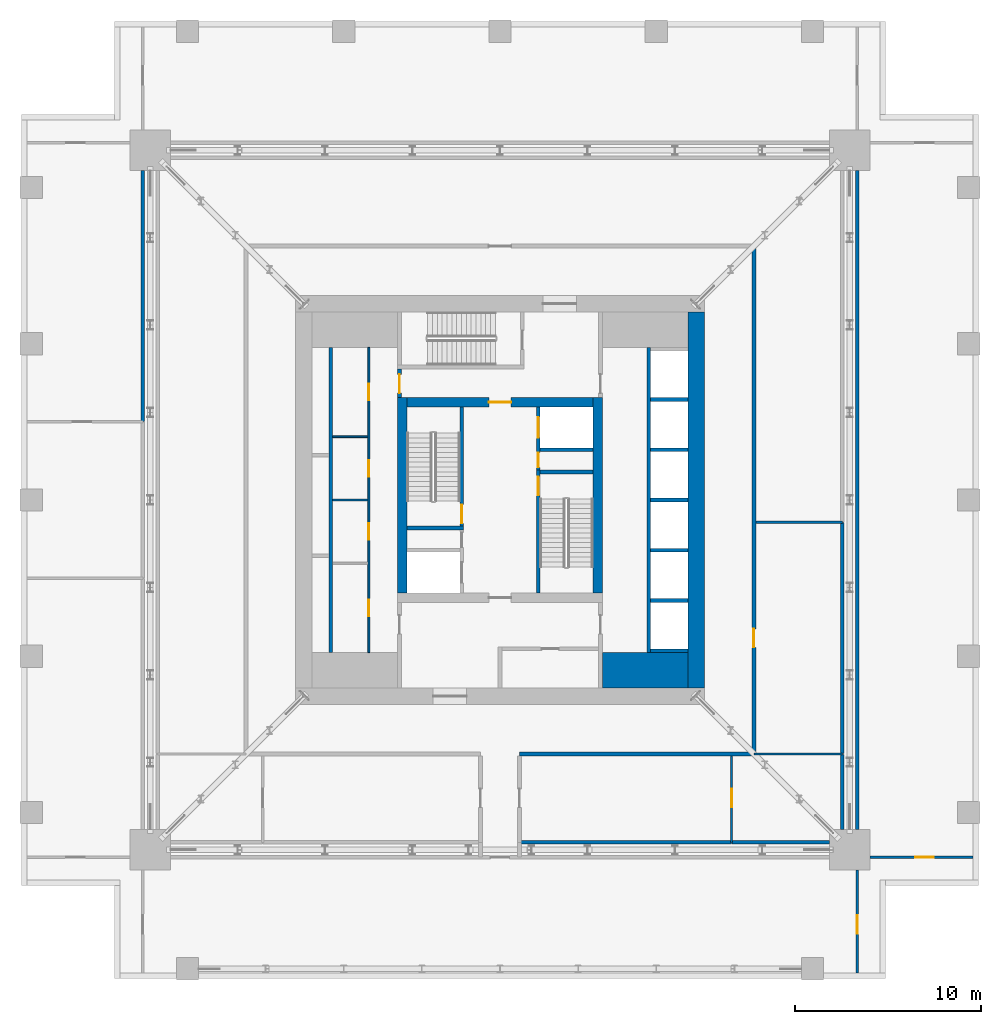
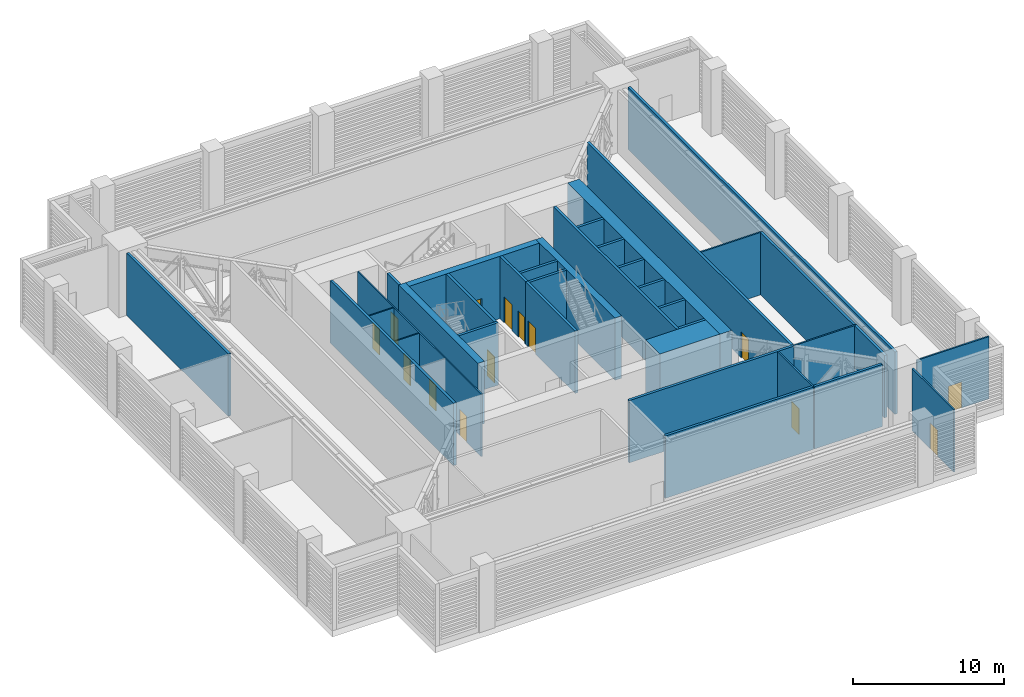
# One storey, part 10 of 16: 36 walls, 14 doors, 14 openings.
"""IFC4 building model written with IfcOpenShell, lengths in metres."""

from ifc_helpers import new_model, si_unit, direction, frame, frame_2d, origin, place, context, subcontext, project, spatial, rectangle, extrude, material, layer, layer_set, type_object, element, fill, save


model = new_model("IFC4")

# Units and contexts
model_context = context("Model", 3, precision=1e-05, world=origin(), true_north=direction((0.0, 1.0)))
body_context = subcontext(model_context, "Body", "Model", "MODEL_VIEW")
ifc_project = project(units=[si_unit("LENGTHUNIT", "METRE"), si_unit("AREAUNIT", "SQUARE_METRE"), si_unit("VOLUMEUNIT", "CUBIC_METRE"), si_unit("PLANEANGLEUNIT", "RADIAN"), si_unit("MASSUNIT", "GRAM", prefix="KILO")], contexts=[model_context])

# Site, building, storey
site_placement = place(None, origin())
site = spatial("IfcSite", under=ifc_project, at=site_placement, CompositionType="ELEMENT")
building_placement = place(site_placement, origin())
building = spatial("IfcBuilding", under=site, at=building_placement, Name="Khepri Terraces", CompositionType="ELEMENT")
storey_placement = place(building_placement, frame((0.0, 0.0, 287.39990234375)))
storey = spatial("IfcBuildingStorey", under=building, at=storey_placement, Name="L69", CompositionType="ELEMENT", Elevation=287.39990234375)

# Wall
ifc_material_1 = material(Name="Concrete C40/50", Category="concrete")
ifc_layer_1 = layer(ifc_material_1, 1.89990234375, Name="Concrete C40/50", Category="concrete")
ifc_layer_set_1 = layer_set([ifc_layer_1], Name="Concrete C40/50")
wall_type_1 = type_object("IfcWallType", Name="Core wall 1900 C40/50", PredefinedType="SHEAR", material=ifc_layer_set_1)
wall_1_placement = place(storey_placement, frame((5.5, -9.14990234375, 0.0), z_axis=(0.0, 0.0, 1.0), x_axis=(1.0, 0.0, 0.0)))
element("IfcWall", 1, at=wall_1_placement, inside=storey, type_object=wall_type_1, Name="Core wall PR02 L69", PredefinedType="SHEAR", context=body_context, shape_type="SweptSolid", body=[
    extrude(rectangle(XDim=4.60009765625, YDim=1.89990234375, at=frame_2d((2.300048828125, 0.0))), origin(), (0.0, 0.0, 1.0), 5.050048828125),
])

# Wall, opening, door
ifc_layer_2 = layer(ifc_material_1, 0.199951171875, Name="Concrete C40/50", Category="concrete")
ifc_layer_set_2 = layer_set([ifc_layer_2], Name="Concrete C40/50")
wall_type_2 = type_object("IfcWallType", Name="Core wall 200 C40/50", PredefinedType="SHEAR", material=ifc_layer_set_2)
wall_2_placement = place(storey_placement, frame((2.050048828125, -5.0, 0.0), z_axis=(0.0, 0.0, 1.0), x_axis=(0.0, 1.0, 0.0)))
wall_2 = element("IfcWall", 2, at=wall_2_placement, inside=storey, type_object=wall_type_2, Name="Core wall ST01 L69", PredefinedType="SHEAR", context=body_context, shape_type="SweptSolid", body=[
    extrude(rectangle(XDim=6.60009765625, YDim=0.199951171875, at=frame_2d((3.300048828125, 0.0))), origin(), (0.0, 0.0, 1.0), 5.050048828125),
])
opening_1_placement = place(wall_2_placement, frame((5.25, 0.0, 0.0)))
opening_1 = element("IfcOpeningElement", 3, at=opening_1_placement, cuts=wall_2, Name="Opening L69-C04", PredefinedType="OPENING", context=body_context, shape_type="SweptSolid", body=[
    extrude(rectangle(XDim=1.0, YDim=2.10009765625, at=frame_2d((0.5, 1.050048828125))), frame((0.0, 0.10986328125, 0.0), z_axis=(0.0, -1.0, 0.0), x_axis=(1.0, 0.0, 0.0)), (0.0, 0.0, 1.0), 0.219970703125),
])
ifc_material_2 = material(Name="Painted steel", Category="steel")
door_type_1 = type_object("IfcDoorType", Name="DR-CORE-STAIR-1000", OperationType="NOTDEFINED", PredefinedType="DOOR", material=ifc_material_2)
door_1_placement = place(opening_1_placement, frame((1.0, 0.0, 0.0), z_axis=(0.0, 0.0, 1.0), x_axis=(-1.0, 0.0, 0.0)))
door_1 = element("IfcDoor", 4, at=door_1_placement, inside=storey, type_object=door_type_1, Name="Stair door L69-C04", OperationType="SINGLE_SWING_LEFT", OverallHeight=2.10009765625, OverallWidth=1.0, PredefinedType="DOOR", context=body_context, shape_type="SweptSolid", body=[
    extrude(rectangle(XDim=1.0, YDim=2.10009765625, at=frame_2d((0.5, 1.050048828125))), frame((0.0, 0.02490234375, 0.0), z_axis=(0.0, -1.0, 0.0), x_axis=(1.0, 0.0, 0.0)), (0.0, 0.0, 1.0), 0.050048828125),
])
fill(opening_1, door_1)

# Wall
wall_3_placement = place(storey_placement, frame((-5.0, -1.5, 0.0), z_axis=(0.0, 0.0, 1.0), x_axis=(1.0, 0.0, 0.0)))
element("IfcWall", 5, at=wall_3_placement, inside=storey, type_object=wall_type_2, Name="Core wall ST02 L69", PredefinedType="SHEAR", context=body_context, shape_type="SweptSolid", body=[
    extrude(rectangle(XDim=3.050048828125, YDim=0.199951171875, at=frame_2d((1.52490234375, 0.0))), origin(), (0.0, 0.0, 1.0), 5.050048828125),
])

# Wall, opening, door
wall_4_placement = place(storey_placement, frame((-2.050048828125, -1.39990234375, 0.0), z_axis=(0.0, 0.0, 1.0), x_axis=(0.0, 1.0, 0.0)))
wall_4 = element("IfcWall", 6, at=wall_4_placement, inside=storey, type_object=wall_type_2, Name="Core wall ST03 L69", PredefinedType="SHEAR", context=body_context, shape_type="SweptSolid", body=[
    extrude(rectangle(XDim=6.39990234375, YDim=0.199951171875, at=frame_2d((3.199951171875, 0.0))), origin(), (0.0, 0.0, 1.0), 5.050048828125),
])
opening_2_placement = place(wall_4_placement, frame((0.14990234375, 0.0, 0.0)))
opening_2 = element("IfcOpeningElement", 7, at=opening_2_placement, cuts=wall_4, Name="Opening L69-C03", PredefinedType="OPENING", context=body_context, shape_type="SweptSolid", body=[
    extrude(rectangle(XDim=1.0, YDim=2.10009765625, at=frame_2d((0.5, 1.050048828125))), frame((0.0, 0.10986328125, 0.0), z_axis=(0.0, -1.0, 0.0), x_axis=(1.0, 0.0, 0.0)), (0.0, 0.0, 1.0), 0.219970703125),
])
door_2_placement = place(opening_2_placement, origin())
door_2 = element("IfcDoor", 8, at=door_2_placement, inside=storey, type_object=door_type_1, Name="Stair door L69-C03", OperationType="SINGLE_SWING_LEFT", OverallHeight=2.10009765625, OverallWidth=1.0, PredefinedType="DOOR", context=body_context, shape_type="SweptSolid", body=[
    extrude(rectangle(XDim=1.0, YDim=2.10009765625, at=frame_2d((0.5, 1.050048828125))), frame((0.0, 0.02490234375, 0.0), z_axis=(0.0, -1.0, 0.0), x_axis=(1.0, 0.0, 0.0)), (0.0, 0.0, 1.0), 0.050048828125),
])
fill(opening_2, door_2)

# Walls
wall_5_placement = place(storey_placement, frame((2.14990234375, 1.5, 0.0), z_axis=(0.0, 0.0, 1.0), x_axis=(1.0, 0.0, 0.0)))
element("IfcWall", 9, at=wall_5_placement, inside=storey, type_object=wall_type_2, Name="Core wall ST04 L69", PredefinedType="SHEAR", context=body_context, shape_type="SweptSolid", body=[
    extrude(rectangle(XDim=2.85009765625, YDim=0.199951171875, at=frame_2d((1.425048828125, 0.0))), origin(), (0.0, 0.0, 1.0), 5.050048828125),
])
for number, where, z_axis, x_axis, name in (
    (10, (-9.10009765625, -8.199951171875, 0.0), (0.0, 0.0, 1.0), (0.0, 1.0, 0.0), "Core wall SH01 L69"),
    (11, (8.0, -8.199951171875, 0.0), (0.0, 0.0, 1.0), (0.0, 1.0, 0.0), "Core wall SH02 L69"),
):
    element("IfcWall", number, at=place(storey_placement, frame(where, z_axis=z_axis, x_axis=x_axis)), inside=storey, type_object=wall_type_2, Name=name, PredefinedType="SHEAR", context=body_context, shape_type="SweptSolid", body=[
        extrude(rectangle(XDim=16.39990234375, YDim=0.199951171875, at=frame_2d((8.199951171875, 0.0))), origin(), (0.0, 0.0, 1.0), 5.050048828125),
    ])
for number, where, z_axis, x_axis, name in (
    (12, (8.10009765625, -8.10009765625, 0.0), (0.0, 0.0, 1.0), (1.0, 0.0, 0.0), "Core wall SH03 L69"),
    (13, (8.10009765625, -5.39990234375, 0.0), (0.0, 0.0, 1.0), (1.0, 0.0, 0.0), "Core wall SH04 L69"),
    (14, (8.10009765625, -2.699951171875, 0.0), (0.0, 0.0, 1.0), (1.0, 0.0, 0.0), "Core wall SH08 L69"),
    (15, (8.10009765625, 0.0, 0.0), (0.0, 0.0, 1.0), (1.0, 0.0, 0.0), "Core wall SH09 L69"),
):
    element("IfcWall", number, at=place(storey_placement, frame(where, z_axis=z_axis, x_axis=x_axis)), inside=storey, type_object=wall_type_2, Name=name, PredefinedType="SHEAR", context=body_context, shape_type="SweptSolid", body=[
        extrude(rectangle(XDim=2.0, YDim=0.199951171875, at=frame_2d((1.0, 0.0))), origin(), (0.0, 0.0, 1.0), 5.050048828125),
    ])

# Wall, openings, doors
wall_6_placement = place(storey_placement, frame((2.050048828125, 1.60009765625, 0.0), z_axis=(0.0, 0.0, 1.0), x_axis=(0.0, 1.0, 0.0)))
wall_6 = element("IfcWall", 16, at=wall_6_placement, inside=storey, type_object=wall_type_2, Name="Core wall SH10 L69", PredefinedType="SHEAR", context=body_context, shape_type="SweptSolid", body=[
    extrude(rectangle(XDim=3.39990234375, YDim=0.199951171875, at=frame_2d((1.699951171875, 0.0))), origin(), (0.0, 0.0, 1.0), 5.050048828125),
])
opening_3_placement = place(wall_6_placement, frame((1.75, 0.0, 0.0)))
opening_3 = element("IfcOpeningElement", 17, at=opening_3_placement, cuts=wall_6, Name="Opening L69-C01", PredefinedType="OPENING", context=body_context, shape_type="SweptSolid", body=[
    extrude(rectangle(XDim=1.10009765625, YDim=2.10009765625, at=frame_2d((0.550048828125, 1.050048828125))), frame((0.0, 0.10986328125, 0.0), z_axis=(0.0, -1.0, 0.0), x_axis=(1.0, 0.0, 0.0)), (0.0, 0.0, 1.0), 0.219970703125),
])
opening_4_placement = place(wall_6_placement, frame((0.14990234375, 0.0, 0.0)))
opening_4 = element("IfcOpeningElement", 18, at=opening_4_placement, cuts=wall_6, Name="Opening L69-C05", PredefinedType="OPENING", context=body_context, shape_type="SweptSolid", body=[
    extrude(rectangle(XDim=0.800048828125, YDim=2.10009765625, at=frame_2d((0.39990234375, 1.050048828125))), frame((0.0, 0.10986328125, 0.0), z_axis=(0.0, -1.0, 0.0), x_axis=(1.0, 0.0, 0.0)), (0.0, 0.0, 1.0), 0.219970703125),
])
ifc_material_3 = material(Name="Stainless steel 304", Category="steel")
door_type_2 = type_object("IfcDoorType", Name="DR-CORE-FF-LANDING-1100", OperationType="NOTDEFINED", PredefinedType="DOOR", material=ifc_material_3)
door_3_placement = place(opening_3_placement, origin())
door_3 = element("IfcDoor", 19, at=door_3_placement, inside=storey, type_object=door_type_2, Name="Firefighting lift landing door L69-C01", OperationType="SLIDING_TO_LEFT", OverallHeight=2.10009765625, OverallWidth=1.10009765625, PredefinedType="DOOR", context=body_context, shape_type="SweptSolid", body=[
    extrude(rectangle(XDim=1.10009765625, YDim=2.10009765625, at=frame_2d((0.550048828125, 1.050048828125))), frame((0.0, 0.02490234375, 0.0), z_axis=(0.0, -1.0, 0.0), x_axis=(1.0, 0.0, 0.0)), (0.0, 0.0, 1.0), 0.050048828125),
])
fill(opening_3, door_3)
door_type_3 = type_object("IfcDoorType", Name="DR-CORE-RISER-800", OperationType="NOTDEFINED", PredefinedType="DOOR", material=ifc_material_2)
door_4_placement = place(opening_4_placement, frame((0.800048828125, 0.0, 0.0), z_axis=(0.0, 0.0, 1.0), x_axis=(-1.0, 0.0, 0.0)))
door_4 = element("IfcDoor", 20, at=door_4_placement, inside=storey, type_object=door_type_3, Name="Riser door L69-C05", OperationType="SINGLE_SWING_RIGHT", OverallHeight=2.10009765625, OverallWidth=0.800048828125, PredefinedType="DOOR", context=body_context, shape_type="SweptSolid", body=[
    extrude(rectangle(XDim=0.800048828125, YDim=2.10009765625, at=frame_2d((0.39990234375, 1.050048828125))), frame((0.0, 0.02490234375, 0.0), z_axis=(0.0, -1.0, 0.0), x_axis=(1.0, 0.0, 0.0)), (0.0, 0.0, 1.0), 0.050048828125),
])
fill(opening_4, door_4)

# Walls
wall_7_placement = place(storey_placement, frame((2.14990234375, 2.699951171875, 0.0), z_axis=(0.0, 0.0, 1.0), x_axis=(1.0, 0.0, 0.0)))
element("IfcWall", 21, at=wall_7_placement, inside=storey, type_object=wall_type_2, Name="Core wall SH12 L69", PredefinedType="SHEAR", context=body_context, shape_type="SweptSolid", body=[
    extrude(rectangle(XDim=2.85009765625, YDim=0.199951171875, at=frame_2d((1.425048828125, 0.0))), origin(), (0.0, 0.0, 1.0), 5.050048828125),
])
for number, where, z_axis, x_axis, name in (
    (22, (8.10009765625, 2.699951171875, 0.0), (0.0, 0.0, 1.0), (1.0, 0.0, 0.0), "Core wall SH13 L69"),
    (23, (8.10009765625, 5.39990234375, 0.0), (0.0, 0.0, 1.0), (1.0, 0.0, 0.0), "Core wall SH14 L69"),
):
    element("IfcWall", number, at=place(storey_placement, frame(where, z_axis=z_axis, x_axis=x_axis)), inside=storey, type_object=wall_type_2, Name=name, PredefinedType="SHEAR", context=body_context, shape_type="SweptSolid", body=[
        extrude(rectangle(XDim=2.0, YDim=0.199951171875, at=frame_2d((1.0, 0.0))), origin(), (0.0, 0.0, 1.0), 5.050048828125),
    ])
ifc_layer_3 = layer(ifc_material_1, 0.5, Name="Concrete C40/50", Category="concrete")
ifc_layer_set_3 = layer_set([ifc_layer_3], Name="Concrete C40/50")
wall_type_3 = type_object("IfcWallType", Name="Core wall 500 C40/50", PredefinedType="SHEAR", material=ifc_layer_set_3)
for number, where, z_axis, x_axis, name in (
    (24, (-5.25, -5.0, 0.0), (0.0, 0.0, 1.0), (0.0, 1.0, 0.0), "Core wall BX02 L69"),
    (25, (5.25, -5.0, 0.0), (0.0, 0.0, 1.0), (0.0, 1.0, 0.0), "Core wall BX03 L69"),
):
    element("IfcWall", number, at=place(storey_placement, frame(where, z_axis=z_axis, x_axis=x_axis)), inside=storey, type_object=wall_type_3, Name=name, PredefinedType="SHEAR", context=body_context, shape_type="SweptSolid", body=[
        extrude(rectangle(XDim=10.5, YDim=0.5, at=frame_2d((5.25, 0.0))), origin(), (0.0, 0.0, 1.0), 5.050048828125),
    ])

# Wall, opening, door
wall_8_placement = place(storey_placement, frame((-5.0, 5.25, 0.0), z_axis=(0.0, 0.0, 1.0), x_axis=(1.0, 0.0, 0.0)))
wall_8 = element("IfcWall", 26, at=wall_8_placement, inside=storey, type_object=wall_type_3, Name="Core wall BX04 L69", PredefinedType="SHEAR", context=body_context, shape_type="SweptSolid", body=[
    extrude(rectangle(XDim=10.0, YDim=0.5, at=frame_2d((5.0, 0.0))), origin(), (0.0, 0.0, 1.0), 5.050048828125),
])
opening_5_placement = place(wall_8_placement, frame((4.39990234375, 0.0, 0.0)))
opening_5 = element("IfcOpeningElement", 27, at=opening_5_placement, cuts=wall_8, Name="Opening L69-C07", PredefinedType="OPENING", context=body_context, shape_type="SweptSolid", body=[
    extrude(rectangle(XDim=1.199951171875, YDim=2.10009765625, at=frame_2d((0.60009765625, 1.050048828125))), frame((0.0, 0.260009765625, 0.0), z_axis=(0.0, -1.0, 0.0), x_axis=(1.0, 0.0, 0.0)), (0.0, 0.0, 1.0), 0.52001953125),
])
door_type_4 = type_object("IfcDoorType", Name="DR-CORE-FF-LOBBY-1200", OperationType="NOTDEFINED", PredefinedType="DOOR", material=ifc_material_2)
door_5_placement = place(opening_5_placement, frame((1.199951171875, 0.0, 0.0), z_axis=(0.0, 0.0, 1.0), x_axis=(-1.0, 0.0, 0.0)))
door_5 = element("IfcDoor", 28, at=door_5_placement, inside=storey, type_object=door_type_4, Name="Firefighting lobby door L69-C07", OperationType="SINGLE_SWING_LEFT", OverallHeight=2.10009765625, OverallWidth=1.199951171875, PredefinedType="DOOR", context=body_context, shape_type="SweptSolid", body=[
    extrude(rectangle(XDim=1.199951171875, YDim=2.10009765625, at=frame_2d((0.60009765625, 1.050048828125))), frame((0.0, 0.02490234375, 0.0), z_axis=(0.0, -1.0, 0.0), x_axis=(1.0, 0.0, 0.0)), (0.0, 0.0, 1.0), 0.050048828125),
])
fill(opening_5, door_5)

# Wall
ifc_layer_4 = layer(ifc_material_1, 0.89990234375, Name="Concrete C40/50", Category="concrete")
ifc_layer_set_4 = layer_set([ifc_layer_4], Name="Concrete C40/50")
wall_type_4 = type_object("IfcWallType", Name="Core wall 900 C40/50", PredefinedType="SHEAR", material=ifc_layer_set_4)
wall_9_placement = place(storey_placement, frame((10.550048828125, -10.10009765625, 0.0), z_axis=(0.0, 0.0, 1.0), x_axis=(0.0, 1.0, 0.0)))
element("IfcWall", 29, at=wall_9_placement, inside=storey, type_object=wall_type_4, Name="Core wall OW-E L69", PredefinedType="SHEAR", context=body_context, shape_type="SweptSolid", body=[
    extrude(rectangle(XDim=20.2001953125, YDim=0.89990234375, at=frame_2d((10.10009765625, 0.0))), origin(), (0.0, 0.0, 1.0), 5.050048828125),
])

# Wall, openings, doors
ifc_material_4 = material(Name="Fire-rated gypsum board partition")
ifc_layer_5 = layer(ifc_material_4, 0.10009765625, Name="Fire-rated gypsum board partition")
ifc_layer_set_5 = layer_set([ifc_layer_5], Name="Fire-rated gypsum board partition")
wall_type_5 = type_object("IfcWallType", Name="WL-CORE-PART-100", PredefinedType="PARTITIONING", material=ifc_layer_set_5)
wall_10_placement = place(storey_placement, frame((-7.050048828125, -8.199951171875, 0.0), z_axis=(0.0, 0.0, 1.0), x_axis=(0.0, 1.0, 0.0)))
wall_10 = element("IfcWall", 30, at=wall_10_placement, inside=storey, type_object=wall_type_5, Name="Core partition PT04 L69", PredefinedType="PARTITIONING", context=body_context, shape_type="SweptSolid", body=[
    extrude(rectangle(XDim=16.39990234375, YDim=0.10009765625, at=frame_2d((8.199951171875, 0.0))), origin(), (0.0, 0.0, 1.0), 5.050048828125),
])
opening_6_placement = place(wall_10_placement, frame((1.949951171875, 0.0, 0.0)))
opening_6 = element("IfcOpeningElement", 31, at=opening_6_placement, cuts=wall_10, Name="Opening L69-C17", PredefinedType="OPENING", context=body_context, shape_type="SweptSolid", body=[
    extrude(rectangle(XDim=0.89990234375, YDim=2.10009765625, at=frame_2d((0.449951171875, 1.050048828125))), frame((0.0, 0.06005859375, 0.0), z_axis=(0.0, -1.0, 0.0), x_axis=(1.0, 0.0, 0.0)), (0.0, 0.0, 1.0), 0.1201171875),
])
opening_7_placement = place(wall_10_placement, frame((6.050048828125, 0.0, 0.0)))
opening_7 = element("IfcOpeningElement", 32, at=opening_7_placement, cuts=wall_10, Name="Opening L69-C18", PredefinedType="OPENING", context=body_context, shape_type="SweptSolid", body=[
    extrude(rectangle(XDim=0.89990234375, YDim=2.10009765625, at=frame_2d((0.449951171875, 1.050048828125))), frame((0.0, 0.06005859375, 0.0), z_axis=(0.0, -1.0, 0.0), x_axis=(1.0, 0.0, 0.0)), (0.0, 0.0, 1.0), 0.1201171875),
])
opening_8_placement = place(wall_10_placement, frame((9.449951171875, 0.0, 0.0)))
opening_8 = element("IfcOpeningElement", 33, at=opening_8_placement, cuts=wall_10, Name="Opening L69-C19", PredefinedType="OPENING", context=body_context, shape_type="SweptSolid", body=[
    extrude(rectangle(XDim=0.89990234375, YDim=2.10009765625, at=frame_2d((0.449951171875, 1.050048828125))), frame((0.0, 0.06005859375, 0.0), z_axis=(0.0, -1.0, 0.0), x_axis=(1.0, 0.0, 0.0)), (0.0, 0.0, 1.0), 0.1201171875),
])
opening_9_placement = place(wall_10_placement, frame((13.550048828125, 0.0, 0.0)))
opening_9 = element("IfcOpeningElement", 34, at=opening_9_placement, cuts=wall_10, Name="Opening L69-C20", PredefinedType="OPENING", context=body_context, shape_type="SweptSolid", body=[
    extrude(rectangle(XDim=0.89990234375, YDim=2.10009765625, at=frame_2d((0.449951171875, 1.050048828125))), frame((0.0, 0.06005859375, 0.0), z_axis=(0.0, -1.0, 0.0), x_axis=(1.0, 0.0, 0.0)), (0.0, 0.0, 1.0), 0.1201171875),
])
door_type_5 = type_object("IfcDoorType", Name="DR-CORE-SERVICE-900", OperationType="NOTDEFINED", PredefinedType="DOOR", material=ifc_material_2)
door_6_placement = place(opening_6_placement, origin())
door_6 = element("IfcDoor", 35, at=door_6_placement, inside=storey, type_object=door_type_5, Name="Service room door L69-C17", OperationType="SINGLE_SWING_LEFT", OverallHeight=2.10009765625, OverallWidth=0.89990234375, PredefinedType="DOOR", context=body_context, shape_type="SweptSolid", body=[
    extrude(rectangle(XDim=0.89990234375, YDim=2.10009765625, at=frame_2d((0.449951171875, 1.050048828125))), frame((0.0, 0.02490234375, 0.0), z_axis=(0.0, -1.0, 0.0), x_axis=(1.0, 0.0, 0.0)), (0.0, 0.0, 1.0), 0.050048828125),
])
fill(opening_6, door_6)
door_7_placement = place(opening_7_placement, origin())
door_7 = element("IfcDoor", 36, at=door_7_placement, inside=storey, type_object=door_type_5, Name="Service room door L69-C18", OperationType="SINGLE_SWING_LEFT", OverallHeight=2.10009765625, OverallWidth=0.89990234375, PredefinedType="DOOR", context=body_context, shape_type="SweptSolid", body=[
    extrude(rectangle(XDim=0.89990234375, YDim=2.10009765625, at=frame_2d((0.449951171875, 1.050048828125))), frame((0.0, 0.02490234375, 0.0), z_axis=(0.0, -1.0, 0.0), x_axis=(1.0, 0.0, 0.0)), (0.0, 0.0, 1.0), 0.050048828125),
])
fill(opening_7, door_7)
door_8_placement = place(opening_8_placement, origin())
door_8 = element("IfcDoor", 37, at=door_8_placement, inside=storey, type_object=door_type_5, Name="Service room door L69-C19", OperationType="SINGLE_SWING_RIGHT", OverallHeight=2.10009765625, OverallWidth=0.89990234375, PredefinedType="DOOR", context=body_context, shape_type="SweptSolid", body=[
    extrude(rectangle(XDim=0.89990234375, YDim=2.10009765625, at=frame_2d((0.449951171875, 1.050048828125))), frame((0.0, 0.02490234375, 0.0), z_axis=(0.0, -1.0, 0.0), x_axis=(1.0, 0.0, 0.0)), (0.0, 0.0, 1.0), 0.050048828125),
])
fill(opening_8, door_8)
door_9_placement = place(opening_9_placement, origin())
door_9 = element("IfcDoor", 38, at=door_9_placement, inside=storey, type_object=door_type_5, Name="Service room door L69-C20", OperationType="SINGLE_SWING_RIGHT", OverallHeight=2.10009765625, OverallWidth=0.89990234375, PredefinedType="DOOR", context=body_context, shape_type="SweptSolid", body=[
    extrude(rectangle(XDim=0.89990234375, YDim=2.10009765625, at=frame_2d((0.449951171875, 1.050048828125))), frame((0.0, 0.02490234375, 0.0), z_axis=(0.0, -1.0, 0.0), x_axis=(1.0, 0.0, 0.0)), (0.0, 0.0, 1.0), 0.050048828125),
])
fill(opening_9, door_9)

# Walls
for number, where, z_axis, x_axis, name in (
    (39, (-9.0, 0.0, 0.0), (0.0, 0.0, 1.0), (1.0, 0.0, 0.0), "Core partition PT07 L69"),
    (40, (-9.0, 3.39990234375, 0.0), (0.0, 0.0, 1.0), (1.0, 0.0, 0.0), "Core partition PT08 L69"),
):
    element("IfcWall", number, at=place(storey_placement, frame(where, z_axis=z_axis, x_axis=x_axis)), inside=storey, type_object=wall_type_5, Name=name, PredefinedType="PARTITIONING", context=body_context, shape_type="SweptSolid", body=[
        extrude(rectangle(XDim=1.89990234375, YDim=0.10009765625, at=frame_2d((0.949951171875, 0.0))), origin(), (0.0, 0.0, 1.0), 5.050048828125),
    ])

# Wall, opening, door
ifc_layer_6 = layer(ifc_material_4, 0.199951171875, Name="Fire-rated gypsum board partition")
ifc_layer_set_6 = layer_set([ifc_layer_6], Name="Fire-rated gypsum board partition")
wall_type_6 = type_object("IfcWallType", Name="WL-CORE-PART-200", PredefinedType="PARTITIONING", material=ifc_layer_set_6)
wall_11_placement = place(storey_placement, frame((-5.39990234375, 5.5, 0.0), z_axis=(0.0, 0.0, 1.0), x_axis=(0.0, 1.0, 0.0)))
wall_11 = element("IfcWall", 41, at=wall_11_placement, inside=storey, type_object=wall_type_6, Name="Core partition PT09 L69", PredefinedType="PARTITIONING", context=body_context, shape_type="SweptSolid", body=[
    extrude(rectangle(XDim=1.550048828125, YDim=0.199951171875, at=frame_2d((0.77490234375, 0.0))), origin(), (0.0, 0.0, 1.0), 5.050048828125),
])
opening_10_placement = place(wall_11_placement, frame((0.25, 0.0, 0.0)))
opening_10 = element("IfcOpeningElement", 42, at=opening_10_placement, cuts=wall_11, Name="Opening L69-C10", PredefinedType="OPENING", context=body_context, shape_type="SweptSolid", body=[
    extrude(rectangle(XDim=1.0, YDim=2.10009765625, at=frame_2d((0.5, 1.050048828125))), frame((0.0, 0.10986328125, 0.0), z_axis=(0.0, -1.0, 0.0), x_axis=(1.0, 0.0, 0.0)), (0.0, 0.0, 1.0), 0.219970703125),
])
door_type_6 = type_object("IfcDoorType", Name="DR-CORE-LOBBY-1000", OperationType="NOTDEFINED", PredefinedType="DOOR", material=ifc_material_2)
door_10_placement = place(opening_10_placement, frame((1.0, 0.0, 0.0), z_axis=(0.0, 0.0, 1.0), x_axis=(-1.0, 0.0, 0.0)))
door_10 = element("IfcDoor", 43, at=door_10_placement, inside=storey, type_object=door_type_6, Name="Lobby door L69-C10", OperationType="SINGLE_SWING_RIGHT", OverallHeight=2.10009765625, OverallWidth=1.0, PredefinedType="DOOR", context=body_context, shape_type="SweptSolid", body=[
    extrude(rectangle(XDim=1.0, YDim=2.10009765625, at=frame_2d((0.5, 1.050048828125))), frame((0.0, 0.02490234375, 0.0), z_axis=(0.0, -1.0, 0.0), x_axis=(1.0, 0.0, 0.0)), (0.0, 0.0, 1.0), 0.050048828125),
])
fill(opening_10, door_10)

# Walls
ifc_material_5 = material(Name="Fire-rated gypsum plasterboard partition, mineral wool")
ifc_layer_7 = layer(ifc_material_5, 0.199951171875, Name="Fire-rated gypsum plasterboard partition, mineral wool")
ifc_layer_set_7 = layer_set([ifc_layer_7], Name="Fire-rated gypsum plasterboard partition, mineral wool")
wall_type_7 = type_object("IfcWallType", Name="WL-CORR-200", PredefinedType="PARTITIONING", material=ifc_layer_set_7)
wall_12_placement = place(storey_placement, frame((1.070068359375, -18.39990234375, 0.0), z_axis=(0.0, 0.0, 1.0), x_axis=(1.0, 0.0, 0.0)))
element("IfcWall", 44, at=wall_12_placement, inside=storey, type_object=wall_type_7, Name="Partition P-013 L69", PredefinedType="PARTITIONING", context=body_context, shape_type="SweptSolid", body=[
    extrude(rectangle(XDim=11.35986328125, YDim=0.199951171875, at=frame_2d((5.679931640625, 0.0))), origin(), (0.0, 0.0, 1.0), 5.050048828125),
])
wall_13_placement = place(storey_placement, frame((12.469970703125, -18.39990234375, 0.0), z_axis=(0.0, 0.0, 1.0), x_axis=(1.0, 0.0, 0.0)))
element("IfcWall", 45, at=wall_13_placement, inside=storey, type_object=wall_type_7, Name="Partition P-015 L69", PredefinedType="PARTITIONING", context=body_context, shape_type="SweptSolid", body=[
    extrude(rectangle(XDim=5.22998046875, YDim=0.199951171875, at=frame_2d((2.614990234375, 0.0))), origin(), (0.0, 0.0, 1.0), 5.050048828125),
])
wall_14_placement = place(storey_placement, frame((18.39990234375, -17.699951171875, 0.0), z_axis=(0.0, 0.0, 1.0), x_axis=(0.0, 1.0, 0.0)))
element("IfcWall", 46, at=wall_14_placement, inside=storey, type_object=wall_type_7, Name="Partition P-018 L69", PredefinedType="PARTITIONING", context=body_context, shape_type="SweptSolid", body=[
    extrude(rectangle(XDim=4.030029296875, YDim=0.199951171875, at=frame_2d((2.01513671875, 0.0))), origin(), (0.0, 0.0, 1.0), 5.050048828125),
])
wall_15_placement = place(storey_placement, frame((19.199951171875, -17.699951171875, 0.0), z_axis=(0.0, 0.0, 1.0), x_axis=(0.0, 1.0, 0.0)))
element("IfcWall", 47, at=wall_15_placement, inside=storey, type_object=wall_type_7, Name="Partition P-019 L69", PredefinedType="PARTITIONING", context=body_context, shape_type="SweptSolid", body=[
    extrude(rectangle(XDim=35.39990234375, YDim=0.199951171875, at=frame_2d((17.699951171875, 0.0))), origin(), (0.0, 0.0, 1.0), 5.050048828125),
])
wall_16_placement = place(storey_placement, frame((1.050048828125, -13.64990234375, 0.0), z_axis=(0.0, 0.0, 1.0), x_axis=(1.0, 0.0, 0.0)))
element("IfcWall", 48, at=wall_16_placement, inside=storey, type_object=wall_type_7, Name="Partition P-022 L69", PredefinedType="PARTITIONING", context=body_context, shape_type="SweptSolid", body=[
    extrude(rectangle(XDim=12.599853515625, YDim=0.199951171875, at=frame_2d((6.2998046875, 0.0))), origin(), (0.0, 0.0, 1.0), 5.050048828125),
])
wall_17_placement = place(storey_placement, frame((18.39990234375, -13.6298828125, 0.0), z_axis=(0.0, 0.0, 1.0), x_axis=(0.0, 1.0, 0.0)))
element("IfcWall", 49, at=wall_17_placement, inside=storey, type_object=wall_type_7, Name="Partition P-025 L69", PredefinedType="PARTITIONING", context=body_context, shape_type="SweptSolid", body=[
    extrude(rectangle(XDim=12.409912109375, YDim=0.199951171875, at=frame_2d((6.205078125, 0.0))), origin(), (0.0, 0.0, 1.0), 5.050048828125),
])

# Wall, opening, door
wall_18_placement = place(storey_placement, frame((13.64990234375, -13.550048828125, 0.0), z_axis=(0.0, 0.0, 1.0), x_axis=(0.0, 1.0, 0.0)))
wall_18 = element("IfcWall", 50, at=wall_18_placement, inside=storey, type_object=wall_type_7, Name="Partition P-027 L69", PredefinedType="PARTITIONING", context=body_context, shape_type="SweptSolid", body=[
    extrude(rectangle(XDim=27.10009765625, YDim=0.199951171875, at=frame_2d((13.550048828125, 0.0))), origin(), (0.0, 0.0, 1.0), 5.050048828125),
])
opening_11_placement = place(wall_18_placement, frame((5.625, 0.0, 0.0)))
opening_11 = element("IfcOpeningElement", 51, at=opening_11_placement, cuts=wall_18, Name="Opening D5", PredefinedType="OPENING", context=body_context, shape_type="SweptSolid", body=[
    extrude(rectangle(XDim=1.0, YDim=2.10009765625, at=frame_2d((0.5, 1.050048828125))), frame((0.0, 0.10986328125, 0.0), z_axis=(0.0, -1.0, 0.0), x_axis=(1.0, 0.0, 0.0)), (0.0, 0.0, 1.0), 0.219970703125),
])
ifc_material_6 = material(Name="Painted galvanised door leaf, plant room")
door_type_7 = type_object("IfcDoorType", Name="DR-SRV-1000", OperationType="NOTDEFINED", PredefinedType="DOOR", material=ifc_material_6)
door_11_placement = place(opening_11_placement, frame((1.0, 0.0, 0.0), z_axis=(0.0, 0.0, 1.0), x_axis=(-1.0, 0.0, 0.0)))
door_11 = element("IfcDoor", 52, at=door_11_placement, inside=storey, type_object=door_type_7, Name="Door Chiller Plant Room", OperationType="SINGLE_SWING_RIGHT", OverallHeight=2.10009765625, OverallWidth=1.0, PredefinedType="DOOR", context=body_context, shape_type="SweptSolid", body=[
    extrude(rectangle(XDim=1.0, YDim=2.10009765625, at=frame_2d((0.5, 1.050048828125))), frame((0.0, 0.02490234375, 0.0), z_axis=(0.0, -1.0, 0.0), x_axis=(1.0, 0.0, 0.0)), (0.0, 0.0, 1.0), 0.050048828125),
])
fill(opening_11, door_11)

# Wall
wall_19_placement = place(storey_placement, frame((-19.199951171875, 4.219970703125, 0.0), z_axis=(0.0, 0.0, 1.0), x_axis=(0.0, 1.0, 0.0)))
element("IfcWall", 53, at=wall_19_placement, inside=storey, type_object=wall_type_7, Name="Partition P-033 L69", PredefinedType="PARTITIONING", context=body_context, shape_type="SweptSolid", body=[
    extrude(rectangle(XDim=13.47998046875, YDim=0.199951171875, at=frame_2d((6.739990234375, 0.0))), origin(), (0.0, 0.0, 1.0), 5.050048828125),
])

# Wall, opening, door
ifc_material_7 = material(Name="Gypsum plasterboard partition")
ifc_layer_8 = layer(ifc_material_7, 0.1201171875, Name="Gypsum plasterboard partition")
ifc_layer_set_8 = layer_set([ifc_layer_8], Name="Gypsum plasterboard partition")
wall_type_8 = type_object("IfcWallType", Name="WL-PART-120", PredefinedType="PARTITIONING", material=ifc_layer_set_8)
wall_20_placement = place(storey_placement, frame((19.199951171875, -25.419921875, 0.0), z_axis=(0.0, 0.0, 1.0), x_axis=(0.0, 1.0, 0.0)))
wall_20 = element("IfcWall", 54, at=wall_20_placement, inside=storey, type_object=wall_type_8, Name="Partition P-002 L69", PredefinedType="PARTITIONING", context=body_context, shape_type="SweptSolid", body=[
    extrude(rectangle(XDim=5.52001953125, YDim=0.1201171875, at=frame_2d((2.760009765625, 0.0))), origin(), (0.0, 0.0, 1.0), 5.050048828125),
])
opening_12_placement = place(wall_20_placement, frame((2.110107421875, 0.0, 0.0)))
opening_12 = element("IfcOpeningElement", 55, at=opening_12_placement, cuts=wall_20, Name="Opening D2", PredefinedType="OPENING", context=body_context, shape_type="SweptSolid", body=[
    extrude(rectangle(XDim=1.0, YDim=2.10009765625, at=frame_2d((0.5, 1.050048828125))), frame((0.0, 0.070068359375, 0.0), z_axis=(0.0, -1.0, 0.0), x_axis=(1.0, 0.0, 0.0)), (0.0, 0.0, 1.0), 0.14013671875),
])
ifc_material_8 = material(Name="Timber door leaf, living room door", Category="wood")
door_type_8 = type_object("IfcDoorType", Name="DR-INT-1000", OperationType="NOTDEFINED", PredefinedType="DOOR", material=ifc_material_8)
door_12_placement = place(opening_12_placement, frame((1.0, 0.0, 0.0), z_axis=(0.0, 0.0, 1.0), x_axis=(-1.0, 0.0, 0.0)))
door_12 = element("IfcDoor", 56, at=door_12_placement, inside=storey, type_object=door_type_8, Name="Door Day Tank Room", OperationType="SINGLE_SWING_RIGHT", OverallHeight=2.10009765625, OverallWidth=1.0, PredefinedType="DOOR", context=body_context, shape_type="SweptSolid", body=[
    extrude(rectangle(XDim=1.0, YDim=2.10009765625, at=frame_2d((0.5, 1.050048828125))), frame((0.0, 0.02490234375, 0.0), z_axis=(0.0, -1.0, 0.0), x_axis=(1.0, 0.0, 0.0)), (0.0, 0.0, 1.0), 0.050048828125),
])
fill(opening_12, door_12)

wall_21_placement = place(storey_placement, frame((19.89990234375, -19.199951171875, 0.0), z_axis=(0.0, 0.0, 1.0), x_axis=(1.0, 0.0, 0.0)))
wall_21 = element("IfcWall", 57, at=wall_21_placement, inside=storey, type_object=wall_type_8, Name="Partition P-005 L69", PredefinedType="PARTITIONING", context=body_context, shape_type="SweptSolid", body=[
    extrude(rectangle(XDim=5.52001953125, YDim=0.1201171875, at=frame_2d((2.760009765625, 0.0))), origin(), (0.0, 0.0, 1.0), 5.050048828125),
])
opening_13_placement = place(wall_21_placement, frame((2.409912109375, 0.0, 0.0)))
opening_13 = element("IfcOpeningElement", 58, at=opening_13_placement, cuts=wall_21, Name="Opening D2", PredefinedType="OPENING", context=body_context, shape_type="SweptSolid", body=[
    extrude(rectangle(XDim=1.0, YDim=2.10009765625, at=frame_2d((0.5, 1.050048828125))), frame((0.0, 0.070068359375, 0.0), z_axis=(0.0, -1.0, 0.0), x_axis=(1.0, 0.0, 0.0)), (0.0, 0.0, 1.0), 0.14013671875),
])
door_13_placement = place(opening_13_placement, origin())
door_13 = element("IfcDoor", 59, at=door_13_placement, inside=storey, type_object=door_type_8, Name="Door Cooling Plant Hall", OperationType="SINGLE_SWING_RIGHT", OverallHeight=2.10009765625, OverallWidth=1.0, PredefinedType="DOOR", context=body_context, shape_type="SweptSolid", body=[
    extrude(rectangle(XDim=1.0, YDim=2.10009765625, at=frame_2d((0.5, 1.050048828125))), frame((0.0, 0.02490234375, 0.0), z_axis=(0.0, -1.0, 0.0), x_axis=(1.0, 0.0, 0.0)), (0.0, 0.0, 1.0), 0.050048828125),
])
fill(opening_13, door_13)

wall_22_placement = place(storey_placement, frame((12.449951171875, -18.39990234375, 0.0), z_axis=(0.0, 0.0, 1.0), x_axis=(0.0, 1.0, 0.0)))
wall_22 = element("IfcWall", 60, at=wall_22_placement, inside=storey, type_object=wall_type_8, Name="Partition P-014 L69", PredefinedType="PARTITIONING", context=body_context, shape_type="SweptSolid", body=[
    extrude(rectangle(XDim=4.64990234375, YDim=0.1201171875, at=frame_2d((2.324951171875, 0.0))), origin(), (0.0, 0.0, 1.0), 5.050048828125),
])
opening_14_placement = place(wall_22_placement, frame((1.875, 0.0, 0.0)))
opening_14 = element("IfcOpeningElement", 61, at=opening_14_placement, cuts=wall_22, Name="Opening D2", PredefinedType="OPENING", context=body_context, shape_type="SweptSolid", body=[
    extrude(rectangle(XDim=1.0, YDim=2.10009765625, at=frame_2d((0.5, 1.050048828125))), frame((0.0, 0.070068359375, 0.0), z_axis=(0.0, -1.0, 0.0), x_axis=(1.0, 0.0, 0.0)), (0.0, 0.0, 1.0), 0.14013671875),
])
door_14_placement = place(opening_14_placement, frame((1.0, 0.0, 0.0), z_axis=(0.0, 0.0, 1.0), x_axis=(-1.0, 0.0, 0.0)))
door_14 = element("IfcDoor", 62, at=door_14_placement, inside=storey, type_object=door_type_8, Name="Door Battery Room", OperationType="SINGLE_SWING_LEFT", OverallHeight=2.10009765625, OverallWidth=1.0, PredefinedType="DOOR", context=body_context, shape_type="SweptSolid", body=[
    extrude(rectangle(XDim=1.0, YDim=2.10009765625, at=frame_2d((0.5, 1.050048828125))), frame((0.0, 0.02490234375, 0.0), z_axis=(0.0, -1.0, 0.0), x_axis=(1.0, 0.0, 0.0)), (0.0, 0.0, 1.0), 0.050048828125),
])
fill(opening_14, door_14)

# Walls
wall_23_placement = place(storey_placement, frame((13.64990234375, -13.64990234375, 0.0), z_axis=(0.0, 0.0, 1.0), x_axis=(1.0, 0.0, 0.0)))
element("IfcWall", 63, at=wall_23_placement, inside=storey, type_object=wall_type_8, Name="Partition P-023 L69", PredefinedType="PARTITIONING", context=body_context, shape_type="SweptSolid", body=[
    extrude(rectangle(XDim=4.75, YDim=0.1201171875, at=frame_2d((2.375, 0.0))), origin(), (0.0, 0.0, 1.0), 5.050048828125),
])
wall_24_placement = place(storey_placement, frame((13.75, -1.199951171875, 0.0), z_axis=(0.0, 0.0, 1.0), x_axis=(1.0, 0.0, 0.0)))
element("IfcWall", 64, at=wall_24_placement, inside=storey, type_object=wall_type_8, Name="Partition P-030 L69", PredefinedType="PARTITIONING", context=body_context, shape_type="SweptSolid", body=[
    extrude(rectangle(XDim=4.64990234375, YDim=0.1201171875, at=frame_2d((2.324951171875, 0.0))), origin(), (0.0, 0.0, 1.0), 5.050048828125),
])

save(model, "model.ifc")
